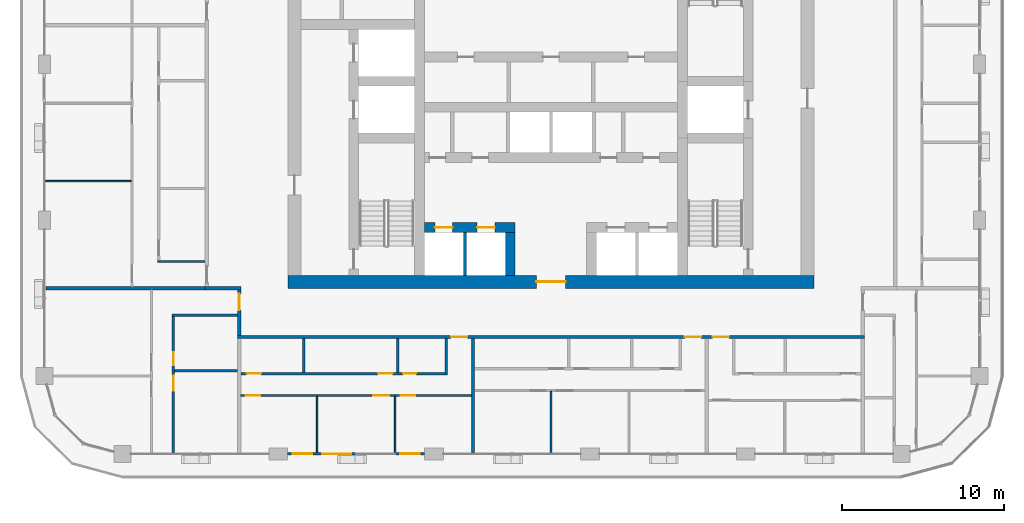
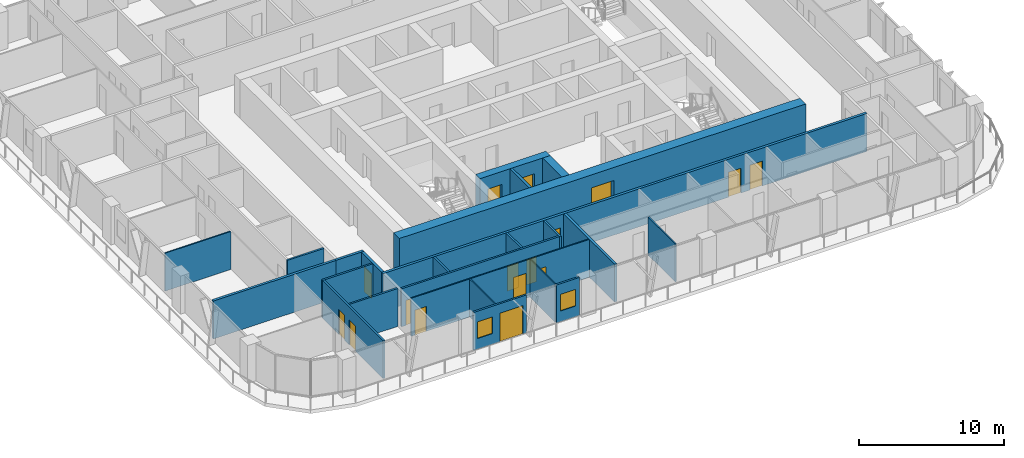
# One storey, part 9 of 23: 24 walls, 16 doors, 2 windows, 18 openings.
"""IFC4 building model written with IfcOpenShell, lengths in metres."""

from ifc_helpers import new_model, si_unit, direction, frame, frame_2d, origin, place, context, subcontext, project, spatial, rectangle, extrude, material, layer, layer_set, type_object, element, fill, save


model = new_model("IFC4")

# Units and contexts
model_context = context("Model", 3, precision=1e-05, world=origin(), true_north=direction((0.0, 1.0)))
body_context = subcontext(model_context, "Body", "Model", "MODEL_VIEW")
ifc_project = project(units=[si_unit("LENGTHUNIT", "METRE"), si_unit("AREAUNIT", "SQUARE_METRE"), si_unit("VOLUMEUNIT", "CUBIC_METRE"), si_unit("PLANEANGLEUNIT", "RADIAN"), si_unit("MASSUNIT", "GRAM", prefix="KILO")], contexts=[model_context])

# Site, building, storey
site_placement = place(None, origin())
site = spatial("IfcSite", under=ifc_project, at=site_placement, CompositionType="ELEMENT")
building_placement = place(site_placement, origin())
building = spatial("IfcBuilding", under=site, at=building_placement, Name="Madar Terraces", CompositionType="ELEMENT")
storey_placement = place(building_placement, frame((0.0, 0.0, 133.10009765625)))
storey = spatial("IfcBuildingStorey", under=building, at=storey_placement, Name="L34", CompositionType="ELEMENT", Elevation=133.10009765625)

# Wall, openings, doors
ifc_material_1 = material(Name="Concrete C70/85", Category="concrete")
ifc_layer_1 = layer(ifc_material_1, 0.60009765625)
ifc_layer_set_1 = layer_set([ifc_layer_1], Name="Concrete C70/85 (CIW3 RC wall 600)")
wall_type_1 = type_object("IfcWallType", Name="CIW3 RC wall 600", PredefinedType="SHEAR", material=ifc_layer_set_1)
wall_1_placement = place(storey_placement, frame((23.39990234375, 18.75, 0.0), z_axis=(0.0, 0.0, 1.0), x_axis=(1.0, 0.0, 0.0)))
wall_1 = element("IfcWall", 1, at=wall_1_placement, inside=storey, type_object=wall_type_1, Name="CORE SHAFT WALL", PredefinedType="SHEAR", context=body_context, shape_type="SweptSolid", body=[
    extrude(rectangle(XDim=5.60009765625, YDim=0.60009765625, at=frame_2d((2.800048828125, 0.0))), origin(), (0.0, 0.0, 1.0), 3.199951171875),
])
opening_1_placement = place(wall_1_placement, frame((0.64990234375, 0.0, 0.0)))
opening_1 = element("IfcOpeningElement", 2, at=opening_1_placement, cuts=wall_1, Name="Opening LD", PredefinedType="OPENING", context=body_context, shape_type="SweptSolid", body=[
    extrude(rectangle(XDim=1.10009765625, YDim=2.10009765625, at=frame_2d((0.550048828125, 1.050048828125))), frame((0.0, 0.31005859375, 0.0), z_axis=(0.0, -1.0, 0.0), x_axis=(1.0, 0.0, 0.0)), (0.0, 0.0, 1.0), 0.6201171875),
])
opening_2_placement = place(wall_1_placement, frame((3.25, 0.0, 0.0)))
opening_2 = element("IfcOpeningElement", 3, at=opening_2_placement, cuts=wall_1, Name="Opening LD", PredefinedType="OPENING", context=body_context, shape_type="SweptSolid", body=[
    extrude(rectangle(XDim=1.10009765625, YDim=2.10009765625, at=frame_2d((0.550048828125, 1.050048828125))), frame((0.0, 0.31005859375, 0.0), z_axis=(0.0, -1.0, 0.0), x_axis=(1.0, 0.0, 0.0)), (0.0, 0.0, 1.0), 0.6201171875),
])
ifc_material_2 = material(Name="Stainless steel panel", Category="steel")
door_type_1 = type_object("IfcDoorType", Name="Lift landing door 1100 x 2100", OperationType="DOUBLE_DOOR_SLIDING", PredefinedType="DOOR", material=ifc_material_2)
door_1_placement = place(opening_1_placement, origin())
door_1 = element("IfcDoor", 4, at=door_1_placement, inside=storey, type_object=door_type_1, Name="LIFT LANDING DOOR", OperationType="DOUBLE_DOOR_SLIDING", OverallHeight=2.10009765625, OverallWidth=1.10009765625, PredefinedType="DOOR", context=body_context, shape_type="SweptSolid", body=[
    extrude(rectangle(XDim=1.10009765625, YDim=2.10009765625, at=frame_2d((0.550048828125, 1.050048828125))), frame((0.0, 0.02490234375, 0.0), z_axis=(0.0, -1.0, 0.0), x_axis=(1.0, 0.0, 0.0)), (0.0, 0.0, 1.0), 0.050048828125),
])
fill(opening_1, door_1)
door_2_placement = place(opening_2_placement, origin())
door_2 = element("IfcDoor", 5, at=door_2_placement, inside=storey, type_object=door_type_1, Name="LIFT LANDING DOOR", OperationType="DOUBLE_DOOR_SLIDING", OverallHeight=2.10009765625, OverallWidth=1.10009765625, PredefinedType="DOOR", context=body_context, shape_type="SweptSolid", body=[
    extrude(rectangle(XDim=1.10009765625, YDim=2.10009765625, at=frame_2d((0.550048828125, 1.050048828125))), frame((0.0, 0.02490234375, 0.0), z_axis=(0.0, -1.0, 0.0), x_axis=(1.0, 0.0, 0.0)), (0.0, 0.0, 1.0), 0.050048828125),
])
fill(opening_2, door_2)

# Wall
wall_2_placement = place(storey_placement, frame((28.699951171875, 15.800048828125, 0.0), z_axis=(0.0, 0.0, 1.0), x_axis=(0.0, 1.0, 0.0)))
element("IfcWall", 6, at=wall_2_placement, inside=storey, type_object=wall_type_1, Name="CORE SHAFT WALL", PredefinedType="SHEAR", context=body_context, shape_type="SweptSolid", body=[
    extrude(rectangle(XDim=2.64990234375, YDim=0.60009765625, at=frame_2d((1.324951171875, 0.0))), origin(), (0.0, 0.0, 1.0), 3.199951171875),
])

# Wall, opening, door
ifc_material_3 = material(Name="Concrete C70/85", Category="concrete")
ifc_layer_2 = layer(ifc_material_3, 0.800048828125)
ifc_layer_set_2 = layer_set([ifc_layer_2], Name="Concrete C70/85 (CRW3 RC wall 800)")
wall_type_2 = type_object("IfcWallType", Name="CRW3 RC wall 800", PredefinedType="SHEAR", material=ifc_layer_set_2)
wall_3_placement = place(storey_placement, frame((15.0, 15.39990234375, 0.0), z_axis=(0.0, 0.0, 1.0), x_axis=(1.0, 0.0, 0.0)))
wall_3 = element("IfcWall", 7, at=wall_3_placement, inside=storey, type_object=wall_type_2, Name="CORE OUTER WALL", PredefinedType="SHEAR", context=body_context, shape_type="SweptSolid", body=[
    extrude(rectangle(XDim=32.39990234375, YDim=0.800048828125, at=frame_2d((16.199951171875, 0.0))), origin(), (0.0, 0.0, 1.0), 3.199951171875),
])
opening_3_placement = place(wall_3_placement, frame((15.300048828125, 0.0, 0.0)))
opening_3 = element("IfcOpeningElement", 8, at=opening_3_placement, cuts=wall_3, Name="Opening KD1", PredefinedType="OPENING", context=body_context, shape_type="SweptSolid", body=[
    extrude(rectangle(XDim=1.800048828125, YDim=2.10009765625, at=frame_2d((0.89990234375, 1.050048828125))), frame((0.0, 0.409912109375, 0.0), z_axis=(0.0, -1.0, 0.0), x_axis=(1.0, 0.0, 0.0)), (0.0, 0.0, 1.0), 0.820068359375),
])
ifc_material_4 = material(Name="Steel door leaf", Category="steel")
door_type_2 = type_object("IfcDoorType", Name="Lobby door pair 1800 x 2100", OperationType="DOUBLE_DOOR_SINGLE_SWING", PredefinedType="DOOR", material=ifc_material_4)
door_3_placement = place(opening_3_placement, frame((1.800048828125, 0.0, 0.0), z_axis=(0.0, 0.0, 1.0), x_axis=(-1.0, 0.0, 0.0)))
door_3 = element("IfcDoor", 9, at=door_3_placement, inside=storey, type_object=door_type_2, Name="LIFT LOBBY DOOR", OperationType="DOUBLE_DOOR_SINGLE_SWING", OverallHeight=2.10009765625, OverallWidth=1.800048828125, PredefinedType="DOOR", context=body_context, shape_type="SweptSolid", body=[
    extrude(rectangle(XDim=1.800048828125, YDim=2.10009765625, at=frame_2d((0.89990234375, 1.050048828125))), frame((0.0, 0.02490234375, 0.0), z_axis=(0.0, -1.0, 0.0), x_axis=(1.0, 0.0, 0.0)), (0.0, 0.0, 1.0), 0.050048828125),
])
fill(opening_3, door_3)

# Wall
ifc_material_5 = material(Name="Concrete C40/50", Category="concrete")
ifc_layer_3 = layer(ifc_material_5, 0.199951171875)
ifc_layer_set_3 = layer_set([ifc_layer_3], Name="Core shaft dividing wall 200 C40/50")
wall_type_3 = type_object("IfcWallType", Name="Core shaft dividing wall 200 C40/50", PredefinedType="SOLIDWALL", material=ifc_layer_set_3)
wall_4_placement = place(storey_placement, frame((25.89990234375, 15.800048828125, 0.0), z_axis=(0.0, 0.0, 1.0), x_axis=(0.0, 1.0, 0.0)))
element("IfcWall", 10, at=wall_4_placement, inside=storey, type_object=wall_type_3, Name="SHAFT DIVIDING WALL", PredefinedType="SOLIDWALL", context=body_context, shape_type="SweptSolid", body=[
    extrude(rectangle(XDim=2.64990234375, YDim=0.199951171875, at=frame_2d((1.324951171875, 0.0))), origin(), (0.0, 0.0, 1.0), 3.199951171875),
])

# Wall, openings, door, window
ifc_material_6 = material(Name="Aluminium composite panel, black, over insulated backing", Category="aluminium")
ifc_layer_4 = layer(ifc_material_6, 0.14990234375)
ifc_layer_set_4 = layer_set([ifc_layer_4], Name="Facade bay panel 150")
wall_type_4 = type_object("IfcWallType", Name="Facade bay panel 150", PredefinedType="SOLIDWALL", material=ifc_layer_set_4)
wall_5_placement = place(storey_placement, frame((14.97509765625, 4.800048828125, 0.0), z_axis=(0.0, 0.0, 1.0), x_axis=(1.0, 0.0, 0.0)))
wall_5 = element("IfcWall", 11, at=wall_5_placement, inside=storey, type_object=wall_type_4, Name="Facade bay panel", PredefinedType="SOLIDWALL", context=body_context, shape_type="SweptSolid", body=[
    extrude(rectangle(XDim=4.224853515625, YDim=0.14990234375, at=frame_2d((2.1123046875, 0.0))), origin(), (0.0, 0.0, 1.0), 3.199951171875),
])
opening_4_placement = place(wall_5_placement, frame((0.3125, 0.0, 0.89990234375)))
opening_4 = element("IfcOpeningElement", 12, at=opening_4_placement, cuts=wall_5, Name="Opening W1", PredefinedType="OPENING", context=body_context, shape_type="SweptSolid", body=[
    extrude(rectangle(XDim=1.199951171875, YDim=1.39990234375, at=frame_2d((0.60009765625, 0.699951171875))), frame((0.0, 0.0849609375, 0.0), z_axis=(0.0, -1.0, 0.0), x_axis=(1.0, 0.0, 0.0)), (0.0, 0.0, 1.0), 0.169921875),
])
opening_5_placement = place(wall_5_placement, frame((2.125, 0.0, 0.0)))
opening_5 = element("IfcOpeningElement", 13, at=opening_5_placement, cuts=wall_5, Name="Opening ED1", PredefinedType="OPENING", context=body_context, shape_type="SweptSolid", body=[
    extrude(rectangle(XDim=1.800048828125, YDim=2.39990234375, at=frame_2d((0.89990234375, 1.199951171875))), frame((0.0, 0.0849609375, 0.0), z_axis=(0.0, -1.0, 0.0), x_axis=(1.0, 0.0, 0.0)), (0.0, 0.0, 1.0), 0.169921875),
])
ifc_material_7 = material(Name="Glass, clear, with black aluminium frame", Category="aluminium")
door_type_3 = type_object("IfcDoorType", Name="Balcony and terrace sliding door 1800 x 2400", OperationType="SLIDING_TO_LEFT", PredefinedType="DOOR", material=ifc_material_7)
door_4_placement = place(opening_5_placement, origin())
door_4 = element("IfcDoor", 14, at=door_4_placement, inside=storey, type_object=door_type_3, Name="Balcony door", OperationType="SLIDING_TO_LEFT", OverallHeight=2.39990234375, OverallWidth=1.800048828125, PredefinedType="DOOR", context=body_context, shape_type="SweptSolid", body=[
    extrude(rectangle(XDim=1.800048828125, YDim=2.39990234375, at=frame_2d((0.89990234375, 1.199951171875))), frame((0.0, 0.02490234375, 0.0), z_axis=(0.0, -1.0, 0.0), x_axis=(1.0, 0.0, 0.0)), (0.0, 0.0, 1.0), 0.050048828125),
])
fill(opening_5, door_4)
ifc_material_8 = material(Name="Glass, clear, with black aluminium frame", Category="aluminium")
window_type = type_object("IfcWindowType", Name="Vent window 1200 x 1400", PartitioningType="SINGLE_PANEL", PredefinedType="WINDOW", material=ifc_material_8)
window_1_placement = place(opening_4_placement, origin())
window_1 = element("IfcWindow", 15, at=window_1_placement, inside=storey, type_object=window_type, Name="Operable vent window", OverallHeight=1.39990234375, OverallWidth=1.199951171875, PartitioningType="SINGLE_PANEL", PredefinedType="WINDOW", context=body_context, shape_type="SweptSolid", body=[
    extrude(rectangle(XDim=1.199951171875, YDim=1.39990234375, at=frame_2d((0.60009765625, 0.699951171875))), frame((0.0, 0.030029296875, 0.0), z_axis=(0.0, -1.0, 0.0), x_axis=(1.0, 0.0, 0.0)), (0.0, 0.0, 1.0), 0.06005859375),
])
fill(opening_4, window_1)

# Wall, opening, window
wall_6_placement = place(storey_placement, frame((21.60009765625, 4.800048828125, 0.0), z_axis=(0.0, 0.0, 1.0), x_axis=(1.0, 0.0, 0.0)))
wall_6 = element("IfcWall", 16, at=wall_6_placement, inside=storey, type_object=wall_type_4, Name="Facade bay panel", PredefinedType="SOLIDWALL", context=body_context, shape_type="SweptSolid", body=[
    extrude(rectangle(XDim=1.824951171875, YDim=0.14990234375, at=frame_2d((0.91259765625, 0.0))), origin(), (0.0, 0.0, 1.0), 3.199951171875),
])
opening_6_placement = place(wall_6_placement, frame((0.3125, 0.0, 0.89990234375)))
opening_6 = element("IfcOpeningElement", 17, at=opening_6_placement, cuts=wall_6, Name="Opening W1", PredefinedType="OPENING", context=body_context, shape_type="SweptSolid", body=[
    extrude(rectangle(XDim=1.199951171875, YDim=1.39990234375, at=frame_2d((0.60009765625, 0.699951171875))), frame((0.0, 0.0849609375, 0.0), z_axis=(0.0, -1.0, 0.0), x_axis=(1.0, 0.0, 0.0)), (0.0, 0.0, 1.0), 0.169921875),
])
window_2_placement = place(opening_6_placement, origin())
window_2 = element("IfcWindow", 18, at=window_2_placement, inside=storey, type_object=window_type, Name="Operable vent window", OverallHeight=1.39990234375, OverallWidth=1.199951171875, PartitioningType="SINGLE_PANEL", PredefinedType="WINDOW", context=body_context, shape_type="SweptSolid", body=[
    extrude(rectangle(XDim=1.199951171875, YDim=1.39990234375, at=frame_2d((0.60009765625, 0.699951171875))), frame((0.0, 0.030029296875, 0.0), z_axis=(0.0, -1.0, 0.0), x_axis=(1.0, 0.0, 0.0)), (0.0, 0.0, 1.0), 0.06005859375),
])
fill(opening_6, window_2)

# Walls
ifc_material_9 = material(Name="Gypsum board on steel studs", Category="steel")
ifc_layer_5 = layer(ifc_material_9, 0.10009765625)
ifc_layer_set_5 = layer_set([ifc_layer_5], Name="Flat partition 100")
wall_type_5 = type_object("IfcWallType", Name="Flat partition 100", PredefinedType="PARTITIONING", material=ifc_layer_set_5)
for number, where, z_axis, x_axis, name in (
    (19, (21.60009765625, 8.35009765625, 0.0), (0.0, 0.0, 1.0), (0.0, -1.0, 0.0), "Flat partition 100"),
    (20, (16.800048828125, 8.35009765625, 0.0), (0.0, 0.0, 1.0), (0.0, -1.0, 0.0), "Flat partition 100"),
):
    element("IfcWall", number, at=place(storey_placement, frame(where, z_axis=z_axis, x_axis=x_axis)), inside=storey, type_object=wall_type_5, Name=name, PredefinedType="PARTITIONING", context=body_context, shape_type="SweptSolid", body=[
        extrude(rectangle(XDim=3.4501953125, YDim=0.10009765625, at=frame_2d((1.72509765625, 0.0))), origin(), (0.0, 0.0, 1.0), 3.199951171875),
    ])

# Wall, openings, doors
wall_7_placement = place(storey_placement, frame((26.300048828125, 8.39990234375, 0.0), z_axis=(0.0, 0.0, 1.0), x_axis=(-1.0, 0.0, 0.0)))
wall_7 = element("IfcWall", 21, at=wall_7_placement, inside=storey, type_object=wall_type_5, Name="Flat partition 100", PredefinedType="PARTITIONING", context=body_context, shape_type="SweptSolid", body=[
    extrude(rectangle(XDim=14.199951171875, YDim=0.10009765625, at=frame_2d((7.10009765625, 0.0))), origin(), (0.0, 0.0, 1.0), 3.199951171875),
])
opening_7_placement = place(wall_7_placement, frame((3.449951171875, 0.0, 0.0)))
opening_7 = element("IfcOpeningElement", 22, at=opening_7_placement, cuts=wall_7, Name="Opening D2", PredefinedType="OPENING", context=body_context, shape_type="SweptSolid", body=[
    extrude(rectangle(XDim=0.89990234375, YDim=2.10009765625, at=frame_2d((0.449951171875, 1.050048828125))), frame((0.0, 0.06005859375, 0.0), z_axis=(0.0, -1.0, 0.0), x_axis=(1.0, 0.0, 0.0)), (0.0, 0.0, 1.0), 0.1201171875),
])
opening_8_placement = place(wall_7_placement, frame((5.050048828125, 0.0, 0.0)))
opening_8 = element("IfcOpeningElement", 23, at=opening_8_placement, cuts=wall_7, Name="Opening D3", PredefinedType="OPENING", context=body_context, shape_type="SweptSolid", body=[
    extrude(rectangle(XDim=1.0, YDim=2.10009765625, at=frame_2d((0.5, 1.050048828125))), frame((0.0, 0.06005859375, 0.0), z_axis=(0.0, -1.0, 0.0), x_axis=(1.0, 0.0, 0.0)), (0.0, 0.0, 1.0), 0.1201171875),
])
opening_9_placement = place(wall_7_placement, frame((13.0, 0.0, 0.0)))
opening_9 = element("IfcOpeningElement", 24, at=opening_9_placement, cuts=wall_7, Name="Opening D2", PredefinedType="OPENING", context=body_context, shape_type="SweptSolid", body=[
    extrude(rectangle(XDim=0.89990234375, YDim=2.10009765625, at=frame_2d((0.449951171875, 1.050048828125))), frame((0.0, 0.06005859375, 0.0), z_axis=(0.0, -1.0, 0.0), x_axis=(1.0, 0.0, 0.0)), (0.0, 0.0, 1.0), 0.1201171875),
])
ifc_material_10 = material(Name="Timber door leaf", Category="wood")
door_type_4 = type_object("IfcDoorType", Name="Flat living room door 1000", OperationType="NOTDEFINED", PredefinedType="DOOR", material=ifc_material_10)
door_5_placement = place(opening_8_placement, origin())
door_5 = element("IfcDoor", 25, at=door_5_placement, inside=storey, type_object=door_type_4, Name="Flat living room door 1000", OperationType="SINGLE_SWING_LEFT", OverallHeight=2.10009765625, OverallWidth=1.0, PredefinedType="DOOR", context=body_context, shape_type="SweptSolid", body=[
    extrude(rectangle(XDim=1.0, YDim=2.10009765625, at=frame_2d((0.5, 1.050048828125))), frame((0.0, 0.02490234375, 0.0), z_axis=(0.0, -1.0, 0.0), x_axis=(1.0, 0.0, 0.0)), (0.0, 0.0, 1.0), 0.050048828125),
])
fill(opening_8, door_5)
ifc_material_11 = material(Name="Timber door leaf", Category="wood")
door_type_5 = type_object("IfcDoorType", Name="Flat room door 900", OperationType="NOTDEFINED", PredefinedType="DOOR", material=ifc_material_11)
door_6_placement = place(opening_7_placement, origin())
door_6 = element("IfcDoor", 26, at=door_6_placement, inside=storey, type_object=door_type_5, Name="Flat room door 900", OperationType="SINGLE_SWING_RIGHT", OverallHeight=2.10009765625, OverallWidth=0.89990234375, PredefinedType="DOOR", context=body_context, shape_type="SweptSolid", body=[
    extrude(rectangle(XDim=0.89990234375, YDim=2.10009765625, at=frame_2d((0.449951171875, 1.050048828125))), frame((0.0, 0.02490234375, 0.0), z_axis=(0.0, -1.0, 0.0), x_axis=(1.0, 0.0, 0.0)), (0.0, 0.0, 1.0), 0.050048828125),
])
fill(opening_7, door_6)
door_7_placement = place(opening_9_placement, origin())
door_7 = element("IfcDoor", 27, at=door_7_placement, inside=storey, type_object=door_type_5, Name="Flat room door 900", OperationType="SINGLE_SWING_RIGHT", OverallHeight=2.10009765625, OverallWidth=0.89990234375, PredefinedType="DOOR", context=body_context, shape_type="SweptSolid", body=[
    extrude(rectangle(XDim=0.89990234375, YDim=2.10009765625, at=frame_2d((0.449951171875, 1.050048828125))), frame((0.0, 0.02490234375, 0.0), z_axis=(0.0, -1.0, 0.0), x_axis=(1.0, 0.0, 0.0)), (0.0, 0.0, 1.0), 0.050048828125),
])
fill(opening_9, door_7)

# Walls
wall_8_placement = place(storey_placement, frame((31.199951171875, 8.64990234375, 0.0), z_axis=(0.0, 0.0, 1.0), x_axis=(0.0, -1.0, 0.0)))
element("IfcWall", 28, at=wall_8_placement, inside=storey, type_object=wall_type_5, Name="Flat partition 100", PredefinedType="PARTITIONING", context=body_context, shape_type="SweptSolid", body=[
    extrude(rectangle(XDim=3.75, YDim=0.10009765625, at=frame_2d((1.875, 0.0))), origin(), (0.0, 0.0, 1.0), 3.199951171875),
])
wall_9_placement = place(storey_placement, frame((5.35009765625, 21.60009765625, 0.0), z_axis=(0.0, 0.0, 1.0), x_axis=(-1.0, 0.0, 0.0)))
element("IfcWall", 29, at=wall_9_placement, inside=storey, type_object=wall_type_5, Name="Flat partition 100", PredefinedType="PARTITIONING", context=body_context, shape_type="SweptSolid", body=[
    extrude(rectangle(XDim=5.25, YDim=0.10009765625, at=frame_2d((2.625, 0.0))), origin(), (0.0, 0.0, 1.0), 3.199951171875),
])

# Wall, openings, doors
ifc_material_12 = material(Name="Lightweight blockwork", Category="masonry")
ifc_layer_6 = layer(ifc_material_12, 0.199951171875)
ifc_layer_set_6 = layer_set([ifc_layer_6], Name="Flat party and entrance wall 200")
wall_type_6 = type_object("IfcWallType", Name="Flat party and entrance wall 200", PredefinedType="PARTITIONING", material=ifc_layer_set_6)
wall_10_placement = place(storey_placement, frame((50.5, 12.0, 0.0), z_axis=(0.0, 0.0, 1.0), x_axis=(-1.0, 0.0, 0.0)))
wall_10 = element("IfcWall", 30, at=wall_10_placement, inside=storey, type_object=wall_type_6, Name="Flat party and entrance wall 200", PredefinedType="PARTITIONING", context=body_context, shape_type="SweptSolid", body=[
    extrude(rectangle(XDim=38.60009765625, YDim=0.199951171875, at=frame_2d((19.300048828125, 0.0))), origin(), (0.0, 0.0, 1.0), 3.199951171875),
])
opening_10_placement = place(wall_10_placement, frame((24.449951171875, 0.0, 0.0)))
opening_10 = element("IfcOpeningElement", 31, at=opening_10_placement, cuts=wall_10, Name="Opening D1", PredefinedType="OPENING", context=body_context, shape_type="SweptSolid", body=[
    extrude(rectangle(XDim=1.0, YDim=2.10009765625, at=frame_2d((0.5, 1.050048828125))), frame((0.0, 0.10986328125, 0.0), z_axis=(0.0, -1.0, 0.0), x_axis=(1.0, 0.0, 0.0)), (0.0, 0.0, 1.0), 0.219970703125),
])
opening_11_placement = place(wall_10_placement, frame((10.050048828125, 0.0, 0.0)))
opening_11 = element("IfcOpeningElement", 32, at=opening_11_placement, cuts=wall_10, Name="Opening D1", PredefinedType="OPENING", context=body_context, shape_type="SweptSolid", body=[
    extrude(rectangle(XDim=1.0, YDim=2.10009765625, at=frame_2d((0.5, 1.050048828125))), frame((0.0, 0.10986328125, 0.0), z_axis=(0.0, -1.0, 0.0), x_axis=(1.0, 0.0, 0.0)), (0.0, 0.0, 1.0), 0.219970703125),
])
opening_12_placement = place(wall_10_placement, frame((8.35009765625, 0.0, 0.0)))
opening_12 = element("IfcOpeningElement", 33, at=opening_12_placement, cuts=wall_10, Name="Opening D1", PredefinedType="OPENING", context=body_context, shape_type="SweptSolid", body=[
    extrude(rectangle(XDim=1.0, YDim=2.10009765625, at=frame_2d((0.5, 1.050048828125))), frame((0.0, 0.10986328125, 0.0), z_axis=(0.0, -1.0, 0.0), x_axis=(1.0, 0.0, 0.0)), (0.0, 0.0, 1.0), 0.219970703125),
])
ifc_material_13 = material(Name="Timber fire door leaf", Category="wood")
door_type_6 = type_object("IfcDoorType", Name="Flat entrance door 1000 FD30S", OperationType="NOTDEFINED", PredefinedType="DOOR", material=ifc_material_13)
door_8_placement = place(opening_10_placement, origin())
door_8 = element("IfcDoor", 34, at=door_8_placement, inside=storey, type_object=door_type_6, Name="Flat entrance door 1000 FD30S", OperationType="SINGLE_SWING_LEFT", OverallHeight=2.10009765625, OverallWidth=1.0, PredefinedType="DOOR", context=body_context, shape_type="SweptSolid", body=[
    extrude(rectangle(XDim=1.0, YDim=2.10009765625, at=frame_2d((0.5, 1.050048828125))), frame((0.0, 0.02490234375, 0.0), z_axis=(0.0, -1.0, 0.0), x_axis=(1.0, 0.0, 0.0)), (0.0, 0.0, 1.0), 0.050048828125),
])
fill(opening_10, door_8)
door_9_placement = place(opening_11_placement, origin())
door_9 = element("IfcDoor", 35, at=door_9_placement, inside=storey, type_object=door_type_6, Name="Flat entrance door 1000 FD30S", OperationType="SINGLE_SWING_LEFT", OverallHeight=2.10009765625, OverallWidth=1.0, PredefinedType="DOOR", context=body_context, shape_type="SweptSolid", body=[
    extrude(rectangle(XDim=1.0, YDim=2.10009765625, at=frame_2d((0.5, 1.050048828125))), frame((0.0, 0.02490234375, 0.0), z_axis=(0.0, -1.0, 0.0), x_axis=(1.0, 0.0, 0.0)), (0.0, 0.0, 1.0), 0.050048828125),
])
fill(opening_11, door_9)
door_10_placement = place(opening_12_placement, origin())
door_10 = element("IfcDoor", 36, at=door_10_placement, inside=storey, type_object=door_type_6, Name="Flat entrance door 1000 FD30S", OperationType="SINGLE_SWING_RIGHT", OverallHeight=2.10009765625, OverallWidth=1.0, PredefinedType="DOOR", context=body_context, shape_type="SweptSolid", body=[
    extrude(rectangle(XDim=1.0, YDim=2.10009765625, at=frame_2d((0.5, 1.050048828125))), frame((0.0, 0.02490234375, 0.0), z_axis=(0.0, -1.0, 0.0), x_axis=(1.0, 0.0, 0.0)), (0.0, 0.0, 1.0), 0.050048828125),
])
fill(opening_12, door_10)

# Wall
wall_11_placement = place(storey_placement, frame((9.89990234375, 15.0, 0.0), z_axis=(0.0, 0.0, 1.0), x_axis=(1.0, 0.0, 0.0)))
element("IfcWall", 37, at=wall_11_placement, inside=storey, type_object=wall_type_6, Name="Flat party and entrance wall 200", PredefinedType="PARTITIONING", context=body_context, shape_type="SweptSolid", body=[
    extrude(rectangle(XDim=2.2001953125, YDim=0.199951171875, at=frame_2d((1.10009765625, 0.0))), origin(), (0.0, 0.0, 1.0), 3.199951171875),
])

# Wall, opening, door
wall_12_placement = place(storey_placement, frame((12.0, 12.10009765625, 0.0), z_axis=(0.0, 0.0, 1.0), x_axis=(0.0, 1.0, 0.0)))
wall_12 = element("IfcWall", 38, at=wall_12_placement, inside=storey, type_object=wall_type_6, Name="Flat party and entrance wall 200", PredefinedType="PARTITIONING", context=body_context, shape_type="SweptSolid", body=[
    extrude(rectangle(XDim=2.7998046875, YDim=0.199951171875, at=frame_2d((1.39990234375, 0.0))), origin(), (0.0, 0.0, 1.0), 3.199951171875),
])
opening_13_placement = place(wall_12_placement, frame((1.550048828125, 0.0, 0.0)))
opening_13 = element("IfcOpeningElement", 39, at=opening_13_placement, cuts=wall_12, Name="Opening D1", PredefinedType="OPENING", context=body_context, shape_type="SweptSolid", body=[
    extrude(rectangle(XDim=1.0, YDim=2.10009765625, at=frame_2d((0.5, 1.050048828125))), frame((0.0, 0.10986328125, 0.0), z_axis=(0.0, -1.0, 0.0), x_axis=(1.0, 0.0, 0.0)), (0.0, 0.0, 1.0), 0.219970703125),
])
door_11_placement = place(opening_13_placement, origin())
door_11 = element("IfcDoor", 40, at=door_11_placement, inside=storey, type_object=door_type_6, Name="Flat entrance door 1000 FD30S", OperationType="SINGLE_SWING_RIGHT", OverallHeight=2.10009765625, OverallWidth=1.0, PredefinedType="DOOR", context=body_context, shape_type="SweptSolid", body=[
    extrude(rectangle(XDim=1.0, YDim=2.10009765625, at=frame_2d((0.5, 1.050048828125))), frame((0.0, 0.02490234375, 0.0), z_axis=(0.0, -1.0, 0.0), x_axis=(1.0, 0.0, 0.0)), (0.0, 0.0, 1.0), 0.050048828125),
])
fill(opening_13, door_11)

# Walls
wall_13_placement = place(storey_placement, frame((26.39990234375, 11.89990234375, 0.0), z_axis=(0.0, 0.0, 1.0), x_axis=(0.0, -1.0, 0.0)))
element("IfcWall", 41, at=wall_13_placement, inside=storey, type_object=wall_type_6, Name="Flat party and entrance wall 200", PredefinedType="PARTITIONING", context=body_context, shape_type="SweptSolid", body=[
    extrude(rectangle(XDim=7.0, YDim=0.199951171875, at=frame_2d((3.5, 0.0))), origin(), (0.0, 0.0, 1.0), 3.199951171875),
])
wall_14_placement = place(storey_placement, frame((0.10009765625, 15.0, 0.0), z_axis=(0.0, 0.0, 1.0), x_axis=(1.0, 0.0, 0.0)))
element("IfcWall", 42, at=wall_14_placement, inside=storey, type_object=wall_type_6, Name="Flat party and entrance wall 200", PredefinedType="PARTITIONING", context=body_context, shape_type="SweptSolid", body=[
    extrude(rectangle(XDim=9.7998046875, YDim=0.199951171875, at=frame_2d((4.89990234375, 0.0))), origin(), (0.0, 0.0, 1.0), 3.199951171875),
])
ifc_material_14 = material(Name="Lightweight blockwork", Category="masonry")
ifc_layer_7 = layer(ifc_material_14, 0.14990234375)
ifc_layer_set_7 = layer_set([ifc_layer_7], Name="Flat wet-room partition 150")
wall_type_7 = type_object("IfcWallType", Name="Flat wet-room partition 150", PredefinedType="PARTITIONING", material=ifc_layer_set_7)
for number, where, z_axis, x_axis, name in (
    (43, (21.773193359375, 11.89990234375, 0.0), (0.0, 0.0, 1.0), (0.0, -1.0, 0.0), "Flat wet-room partition 150"),
    (44, (15.96923828125, 11.89990234375, 0.0), (0.0, 0.0, 1.0), (0.0, -1.0, 0.0), "Flat wet-room partition 150"),
):
    element("IfcWall", number, at=place(storey_placement, frame(where, z_axis=z_axis, x_axis=x_axis)), inside=storey, type_object=wall_type_7, Name=name, PredefinedType="PARTITIONING", context=body_context, shape_type="SweptSolid", body=[
        extrude(rectangle(XDim=2.074951171875, YDim=0.14990234375, at=frame_2d((1.03759765625, 0.0))), origin(), (0.0, 0.0, 1.0), 3.199951171875),
    ])
wall_15_placement = place(storey_placement, frame((24.75, 11.89990234375, 0.0), z_axis=(0.0, 0.0, 1.0), x_axis=(0.0, -1.0, 0.0)))
element("IfcWall", 45, at=wall_15_placement, inside=storey, type_object=wall_type_7, Name="Flat wet-room partition 150", PredefinedType="PARTITIONING", context=body_context, shape_type="SweptSolid", body=[
    extrude(rectangle(XDim=2.224853515625, YDim=0.14990234375, at=frame_2d((1.1123046875, 0.0))), origin(), (0.0, 0.0, 1.0), 3.199951171875),
])

# Wall, openings, doors
wall_16_placement = place(storey_placement, frame((12.10009765625, 9.75, 0.0), z_axis=(0.0, 0.0, 1.0), x_axis=(1.0, 0.0, 0.0)))
wall_16 = element("IfcWall", 46, at=wall_16_placement, inside=storey, type_object=wall_type_7, Name="Flat wet-room partition 150", PredefinedType="PARTITIONING", context=body_context, shape_type="SweptSolid", body=[
    extrude(rectangle(XDim=12.574951171875, YDim=0.14990234375, at=frame_2d((6.28759765625, 0.0))), origin(), (0.0, 0.0, 1.0), 3.199951171875),
])
opening_14_placement = place(wall_16_placement, frame((9.998046875, 0.0, 0.0)))
opening_14 = element("IfcOpeningElement", 47, at=opening_14_placement, cuts=wall_16, Name="Opening D4", PredefinedType="OPENING", context=body_context, shape_type="SweptSolid", body=[
    extrude(rectangle(XDim=0.800048828125, YDim=2.10009765625, at=frame_2d((0.39990234375, 1.050048828125))), frame((0.0, 0.0849609375, 0.0), z_axis=(0.0, -1.0, 0.0), x_axis=(1.0, 0.0, 0.0)), (0.0, 0.0, 1.0), 0.169921875),
])
opening_15_placement = place(wall_16_placement, frame((8.447998046875, 0.0, 0.0)))
opening_15 = element("IfcOpeningElement", 48, at=opening_15_placement, cuts=wall_16, Name="Opening D2", PredefinedType="OPENING", context=body_context, shape_type="SweptSolid", body=[
    extrude(rectangle(XDim=0.89990234375, YDim=2.10009765625, at=frame_2d((0.449951171875, 1.050048828125))), frame((0.0, 0.0849609375, 0.0), z_axis=(0.0, -1.0, 0.0), x_axis=(1.0, 0.0, 0.0)), (0.0, 0.0, 1.0), 0.169921875),
])
opening_16_placement = place(wall_16_placement, frame((0.35009765625, 0.0, 0.0)))
opening_16 = element("IfcOpeningElement", 49, at=opening_16_placement, cuts=wall_16, Name="Opening D5", PredefinedType="OPENING", context=body_context, shape_type="SweptSolid", body=[
    extrude(rectangle(XDim=0.89990234375, YDim=2.10009765625, at=frame_2d((0.449951171875, 1.050048828125))), frame((0.0, 0.0849609375, 0.0), z_axis=(0.0, -1.0, 0.0), x_axis=(1.0, 0.0, 0.0)), (0.0, 0.0, 1.0), 0.169921875),
])
ifc_material_15 = material(Name="Timber door leaf", Category="wood")
door_type_7 = type_object("IfcDoorType", Name="Flat accessible bathroom door 900", OperationType="NOTDEFINED", PredefinedType="DOOR", material=ifc_material_15)
door_12_placement = place(opening_16_placement, origin())
door_12 = element("IfcDoor", 50, at=door_12_placement, inside=storey, type_object=door_type_7, Name="Flat accessible bathroom door 900", OperationType="SINGLE_SWING_LEFT", OverallHeight=2.10009765625, OverallWidth=0.89990234375, PredefinedType="DOOR", context=body_context, shape_type="SweptSolid", body=[
    extrude(rectangle(XDim=0.89990234375, YDim=2.10009765625, at=frame_2d((0.449951171875, 1.050048828125))), frame((0.0, 0.02490234375, 0.0), z_axis=(0.0, -1.0, 0.0), x_axis=(1.0, 0.0, 0.0)), (0.0, 0.0, 1.0), 0.050048828125),
])
fill(opening_16, door_12)
ifc_material_16 = material(Name="Timber door leaf", Category="wood")
door_type_8 = type_object("IfcDoorType", Name="Flat bathroom door 800", OperationType="NOTDEFINED", PredefinedType="DOOR", material=ifc_material_16)
door_13_placement = place(opening_14_placement, origin())
door_13 = element("IfcDoor", 51, at=door_13_placement, inside=storey, type_object=door_type_8, Name="Flat bathroom door 800", OperationType="SINGLE_SWING_LEFT", OverallHeight=2.10009765625, OverallWidth=0.800048828125, PredefinedType="DOOR", context=body_context, shape_type="SweptSolid", body=[
    extrude(rectangle(XDim=0.800048828125, YDim=2.10009765625, at=frame_2d((0.39990234375, 1.050048828125))), frame((0.0, 0.02490234375, 0.0), z_axis=(0.0, -1.0, 0.0), x_axis=(1.0, 0.0, 0.0)), (0.0, 0.0, 1.0), 0.050048828125),
])
fill(opening_14, door_13)
door_14_placement = place(opening_15_placement, origin())
door_14 = element("IfcDoor", 52, at=door_14_placement, inside=storey, type_object=door_type_5, Name="Flat room door 900", OperationType="SINGLE_SWING_RIGHT", OverallHeight=2.10009765625, OverallWidth=0.89990234375, PredefinedType="DOOR", context=body_context, shape_type="SweptSolid", body=[
    extrude(rectangle(XDim=0.89990234375, YDim=2.10009765625, at=frame_2d((0.449951171875, 1.050048828125))), frame((0.0, 0.02490234375, 0.0), z_axis=(0.0, -1.0, 0.0), x_axis=(1.0, 0.0, 0.0)), (0.0, 0.0, 1.0), 0.050048828125),
])
fill(opening_15, door_14)

# Walls
wall_17_placement = place(storey_placement, frame((9.89990234375, 16.64990234375, 0.0), z_axis=(0.0, 0.0, 1.0), x_axis=(-1.0, 0.0, 0.0)))
element("IfcWall", 53, at=wall_17_placement, inside=storey, type_object=wall_type_7, Name="Flat wet-room partition 150", PredefinedType="PARTITIONING", context=body_context, shape_type="SweptSolid", body=[
    extrude(rectangle(XDim=2.9248046875, YDim=0.14990234375, at=frame_2d((1.46240234375, 0.0))), origin(), (0.0, 0.0, 1.0), 3.199951171875),
])
wall_18_placement = place(storey_placement, frame((11.89990234375, 9.925048828125, 0.0), z_axis=(0.0, 0.0, 1.0), x_axis=(-1.0, 0.0, 0.0)))
element("IfcWall", 54, at=wall_18_placement, inside=storey, type_object=wall_type_7, Name="Flat wet-room partition 150", PredefinedType="PARTITIONING", context=body_context, shape_type="SweptSolid", body=[
    extrude(rectangle(XDim=3.875, YDim=0.14990234375, at=frame_2d((1.9375, 0.0))), origin(), (0.0, 0.0, 1.0), 3.199951171875),
])
wall_19_placement = place(storey_placement, frame((11.89990234375, 13.35009765625, 0.0), z_axis=(0.0, 0.0, 1.0), x_axis=(-1.0, 0.0, 0.0)))
element("IfcWall", 55, at=wall_19_placement, inside=storey, type_object=wall_type_7, Name="Flat wet-room partition 150", PredefinedType="PARTITIONING", context=body_context, shape_type="SweptSolid", body=[
    extrude(rectangle(XDim=4.02490234375, YDim=0.14990234375, at=frame_2d((2.012451171875, 0.0))), origin(), (0.0, 0.0, 1.0), 3.199951171875),
])

# Wall, openings, doors
wall_20_placement = place(storey_placement, frame((7.949951171875, 13.27490234375, 0.0), z_axis=(0.0, 0.0, 1.0), x_axis=(0.0, -1.0, 0.0)))
wall_20 = element("IfcWall", 56, at=wall_20_placement, inside=storey, type_object=wall_type_7, Name="Flat wet-room partition 150", PredefinedType="PARTITIONING", context=body_context, shape_type="SweptSolid", body=[
    extrude(rectangle(XDim=8.375, YDim=0.14990234375, at=frame_2d((4.1875, 0.0))), origin(), (0.0, 0.0, 1.0), 3.199951171875),
])
opening_17_placement = place(wall_20_placement, frame((2.22509765625, 0.0, 0.0)))
opening_17 = element("IfcOpeningElement", 57, at=opening_17_placement, cuts=wall_20, Name="Opening D4", PredefinedType="OPENING", context=body_context, shape_type="SweptSolid", body=[
    extrude(rectangle(XDim=0.800048828125, YDim=2.10009765625, at=frame_2d((0.39990234375, 1.050048828125))), frame((0.0, 0.0849609375, 0.0), z_axis=(0.0, -1.0, 0.0), x_axis=(1.0, 0.0, 0.0)), (0.0, 0.0, 1.0), 0.169921875),
])
opening_18_placement = place(wall_20_placement, frame((3.675048828125, 0.0, 0.0)))
opening_18 = element("IfcOpeningElement", 58, at=opening_18_placement, cuts=wall_20, Name="Opening D2", PredefinedType="OPENING", context=body_context, shape_type="SweptSolid", body=[
    extrude(rectangle(XDim=0.89990234375, YDim=2.10009765625, at=frame_2d((0.449951171875, 1.050048828125))), frame((0.0, 0.0849609375, 0.0), z_axis=(0.0, -1.0, 0.0), x_axis=(1.0, 0.0, 0.0)), (0.0, 0.0, 1.0), 0.169921875),
])
door_15_placement = place(opening_17_placement, origin())
door_15 = element("IfcDoor", 59, at=door_15_placement, inside=storey, type_object=door_type_8, Name="Flat bathroom door 800", OperationType="SINGLE_SWING_RIGHT", OverallHeight=2.10009765625, OverallWidth=0.800048828125, PredefinedType="DOOR", context=body_context, shape_type="SweptSolid", body=[
    extrude(rectangle(XDim=0.800048828125, YDim=2.10009765625, at=frame_2d((0.39990234375, 1.050048828125))), frame((0.0, 0.02490234375, 0.0), z_axis=(0.0, -1.0, 0.0), x_axis=(1.0, 0.0, 0.0)), (0.0, 0.0, 1.0), 0.050048828125),
])
fill(opening_17, door_15)
door_16_placement = place(opening_18_placement, origin())
door_16 = element("IfcDoor", 60, at=door_16_placement, inside=storey, type_object=door_type_5, Name="Flat room door 900", OperationType="SINGLE_SWING_LEFT", OverallHeight=2.10009765625, OverallWidth=0.89990234375, PredefinedType="DOOR", context=body_context, shape_type="SweptSolid", body=[
    extrude(rectangle(XDim=0.89990234375, YDim=2.10009765625, at=frame_2d((0.449951171875, 1.050048828125))), frame((0.0, 0.02490234375, 0.0), z_axis=(0.0, -1.0, 0.0), x_axis=(1.0, 0.0, 0.0)), (0.0, 0.0, 1.0), 0.050048828125),
])
fill(opening_18, door_16)

save(model, "model.ifc")
